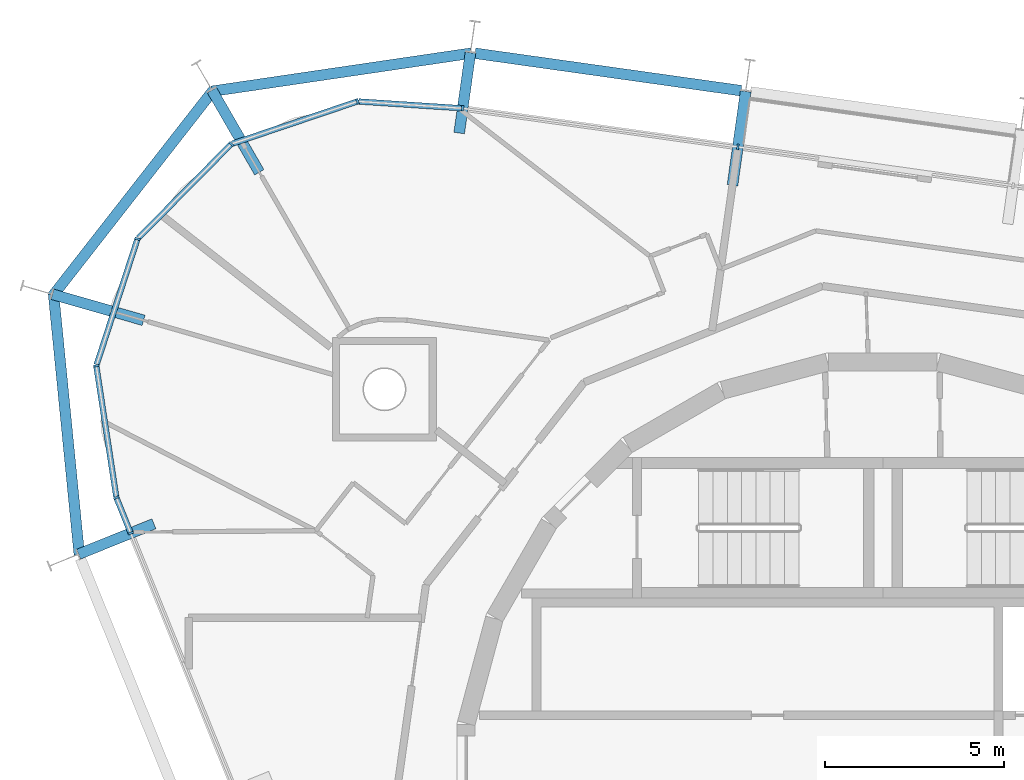
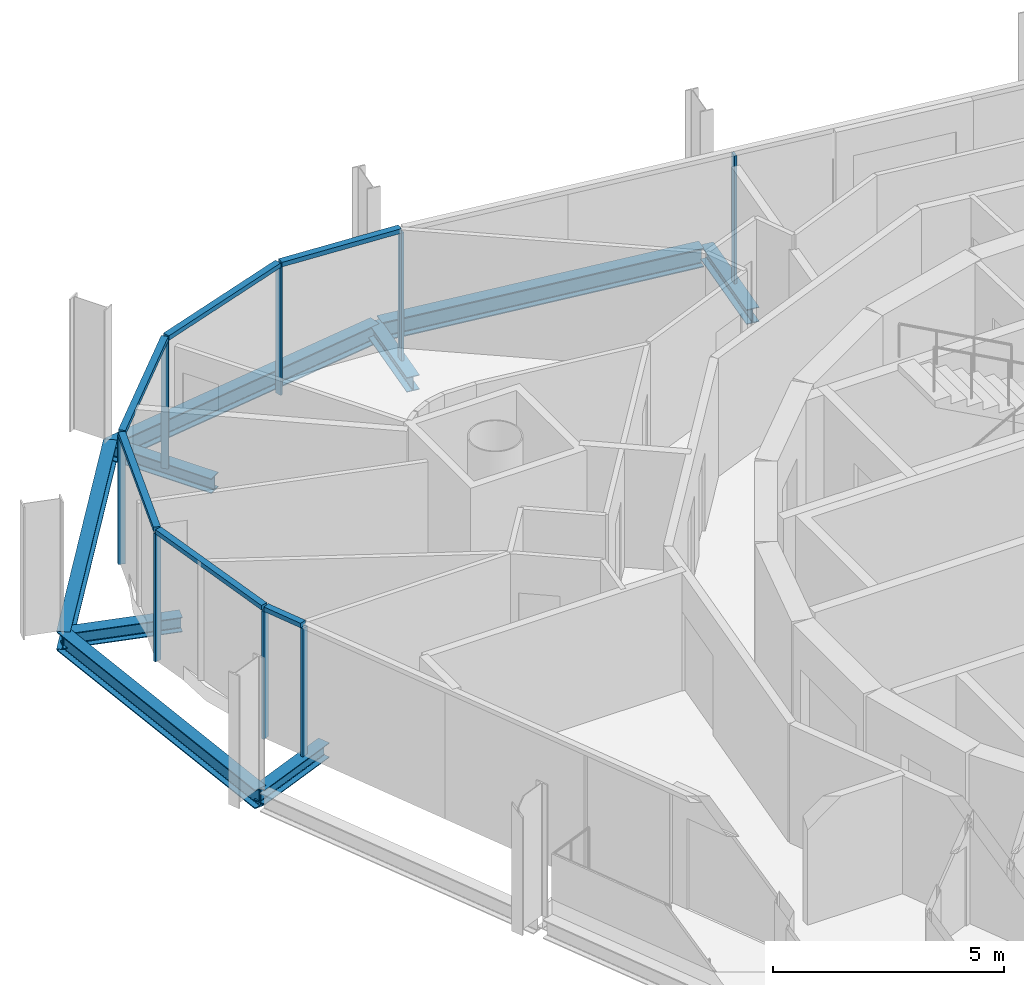
# One storey, part 5 of 15: 14 members, 9 beams, 3 elements without a shape of their own.
"""IFC4 building model written with IfcOpenShell, lengths in metres."""

from ifc_helpers import new_model, si_unit, direction, frame, origin, origin_2d, place, context, subcontext, project, spatial, rectangle, i_section, extrude, material, layer, layer_set, material_profile, profile_set, type_object, element, aggregate, save


model = new_model("IFC4")

# Units and contexts
model_context = context("Model", 3, precision=1e-05, world=origin(), true_north=direction((0.0, 1.0)))
body_context = subcontext(model_context, "Body", "Model", "MODEL_VIEW")
ifc_project = project(units=[si_unit("LENGTHUNIT", "METRE"), si_unit("AREAUNIT", "SQUARE_METRE"), si_unit("VOLUMEUNIT", "CUBIC_METRE"), si_unit("PLANEANGLEUNIT", "RADIAN"), si_unit("MASSUNIT", "GRAM", prefix="KILO")], contexts=[model_context])

# Site, building, storey
site_placement = place(None, origin())
site = spatial("IfcSite", under=ifc_project, at=site_placement, CompositionType="ELEMENT")
building_placement = place(site_placement, origin())
building = spatial("IfcBuilding", under=site, at=building_placement, Name="Spindle Arch Residences", CompositionType="ELEMENT")
storey_placement = place(building_placement, frame((0.0, 0.0, 354.0)))
storey = spatial("IfcBuildingStorey", under=building, at=storey_placement, Name="L91", CompositionType="ELEMENT", Elevation=354.0)

# Curtain wall, member
ifc_material_1 = material(Name="Aluminium bronze unitised frame with tinted glass", Category="aluminium")
ifc_layer_1 = layer(ifc_material_1, 0.159912109375)
ifc_layer_set_1 = layer_set([ifc_layer_1], Name="CW-C typical residential unitised wall")
curtain_wall_type_1 = type_object("IfcCurtainWallType", Name="CW-C typical residential unitised wall", PredefinedType="NOTDEFINED", material=ifc_layer_set_1)
curtain_wall_1_placement = place(storey_placement, origin())
curtain_wall_1 = element("IfcCurtainWall", 1, at=curtain_wall_1_placement, inside=storey, type_object=curtain_wall_type_1, Name="CW-C L91 run 2", PredefinedType="NOTDEFINED")
ifc_material_2 = material(Name="Aluminium bronze anodised mullion", Category="aluminium")
ifc_material_profile_1 = material_profile(ifc_material_2, rectangle(XDim=0.159912109375, YDim=0.06005859375, at=origin_2d()), Name="MU 60x160")
ifc_profile_set_1 = profile_set([ifc_material_profile_1], Name="Aluminium bronze anodised mullion")
member_type_1 = type_object("IfcMemberType", Name="Bronze mullion 60x160", PredefinedType="MULLION", material=ifc_profile_set_1)
member_1_placement = place(storey_placement, frame((-4.0537109375, 17.654296875, -0.3798828125), z_axis=(0.0, 0.0, 1.0), x_axis=(-0.13917310096, -0.990268068742, 0.0)))
member_1 = element("IfcMember", 2, at=member_1_placement, type_object=member_type_1, Name="CW-C mullion 07", PredefinedType="MULLION", context=body_context, shape_type="SweptSolid", body=[
    extrude(rectangle(XDim=0.159912109375, YDim=0.06005859375, at=origin_2d()), origin(), (0.0, 0.0, 1.0), 3.3798828125),
])
aggregate(curtain_wall_1, [member_1])

# Curtain wall, members
ifc_material_3 = material(Name="Aluminium bronze unitised frame with tinted glass", Category="aluminium")
ifc_layer_2 = layer(ifc_material_3, 0.159912109375)
ifc_layer_set_2 = layer_set([ifc_layer_2], Name="CW-D corner wall on the fillet arcs")
curtain_wall_type_2 = type_object("IfcCurtainWallType", Name="CW-D corner wall on the fillet arcs", PredefinedType="NOTDEFINED", material=ifc_layer_set_2)
curtain_wall_2_placement = place(storey_placement, origin())
curtain_wall_2 = element("IfcCurtainWall", 3, at=curtain_wall_2_placement, inside=storey, type_object=curtain_wall_type_2, Name="CW-D L91 run 3", PredefinedType="NOTDEFINED")
member_2_placement = place(storey_placement, frame((-11.74365234375, 18.735107421875, -0.3798828125), z_axis=(0.0, 0.0, 1.0), x_axis=(-0.065509719587, -0.99785193122, 0.0)))
member_2 = element("IfcMember", 4, at=member_2_placement, type_object=member_type_1, Name="CW-D mullion 00", PredefinedType="MULLION", context=body_context, shape_type="SweptSolid", body=[
    extrude(rectangle(XDim=0.159912109375, YDim=0.06005859375, at=origin_2d()), origin(), (0.0, 0.0, 1.0), 3.3798828125),
])
member_3_placement = place(storey_placement, frame((-14.6806640625, 18.927978515625, -0.3798828125), z_axis=(0.0, 0.0, 1.0), x_axis=(0.320061877599, -0.947396640541, 0.0)))
member_3 = element("IfcMember", 5, at=member_3_placement, type_object=member_type_1, Name="CW-D mullion 01", PredefinedType="MULLION", context=body_context, shape_type="SweptSolid", body=[
    extrude(rectangle(XDim=0.159912109375, YDim=0.06005859375, at=origin_2d()), origin(), (0.0, 0.0, 1.0), 3.3798828125),
])
member_4_placement = place(storey_placement, frame((-18.211181640625, 17.735107421875, -0.3798828125), z_axis=(0.0, 0.0, 1.0), x_axis=(0.711208574043, -0.702981055369, 0.0)))
member_4 = element("IfcMember", 6, at=member_4_placement, type_object=member_type_1, Name="CW-D mullion 02", PredefinedType="MULLION", context=body_context, shape_type="SweptSolid", body=[
    extrude(rectangle(XDim=0.159912109375, YDim=0.06005859375, at=origin_2d()), origin(), (0.0, 0.0, 1.0), 3.3798828125),
])
member_5_placement = place(storey_placement, frame((-20.8310546875, 15.084716796875, -0.3798828125), z_axis=(0.0, 0.0, 1.0), x_axis=(0.951056517498, -0.309016990673, 0.0)))
member_5 = element("IfcMember", 7, at=member_5_placement, type_object=member_type_1, Name="CW-D mullion 03", PredefinedType="MULLION", context=body_context, shape_type="SweptSolid", body=[
    extrude(rectangle(XDim=0.159912109375, YDim=0.06005859375, at=origin_2d()), origin(), (0.0, 0.0, 1.0), 3.3798828125),
])
member_6_placement = place(storey_placement, frame((-21.982666015625, 11.540283203125, -0.3798828125), z_axis=(0.0, 0.0, 1.0), x_axis=(0.988581718471, 0.150685718984, 0.0)))
member_6 = element("IfcMember", 8, at=member_6_placement, type_object=member_type_1, Name="CW-D mullion 04", PredefinedType="MULLION", context=body_context, shape_type="SweptSolid", body=[
    extrude(rectangle(XDim=0.159912109375, YDim=0.06005859375, at=origin_2d()), origin(), (0.0, 0.0, 1.0), 3.3798828125),
])
member_7_placement = place(storey_placement, frame((-21.421142578125, 7.856201171875, -0.3798828125), z_axis=(0.0, 0.0, 1.0), x_axis=(0.927183854567, 0.374606593416, 0.0)))
member_7 = element("IfcMember", 9, at=member_7_placement, type_object=member_type_1, Name="CW-D mullion 05", PredefinedType="MULLION", context=body_context, shape_type="SweptSolid", body=[
    extrude(rectangle(XDim=0.159912109375, YDim=0.06005859375, at=origin_2d()), origin(), (0.0, 0.0, 1.0), 3.3798828125),
])

# Curtain wall, member
curtain_wall_3_placement = place(storey_placement, origin())
curtain_wall_3 = element("IfcCurtainWall", 10, at=curtain_wall_3_placement, inside=storey, type_object=curtain_wall_type_1, Name="CW-C L91 run 4", PredefinedType="NOTDEFINED")
member_8_placement = place(storey_placement, frame((-21.019775390625, 6.862548828125, -0.3798828125), z_axis=(0.0, 0.0, 1.0), x_axis=(0.927183854567, 0.374606593416, 0.0)))
member_8 = element("IfcMember", 11, at=member_8_placement, type_object=member_type_1, Name="CW-C mullion 11", PredefinedType="MULLION", context=body_context, shape_type="SweptSolid", body=[
    extrude(rectangle(XDim=0.159912109375, YDim=0.06005859375, at=origin_2d()), origin(), (0.0, 0.0, 1.0), 3.3798828125),
])
aggregate(curtain_wall_3, [member_8])

# Member
ifc_material_4 = material(Name="Aluminium bronze anodised transom", Category="aluminium")
ifc_material_profile_2 = material_profile(ifc_material_4, rectangle(XDim=0.159912109375, YDim=0.1201171875, at=origin_2d()), Name="TR 120x160")
ifc_profile_set_2 = profile_set([ifc_material_profile_2], Name="Aluminium bronze anodised transom")
member_type_2 = type_object("IfcMemberType", Name="Bronze transom 120x160", PredefinedType="USERDEFINED", material=ifc_profile_set_2)
member_9_placement = place(storey_placement, frame((-11.773681640625, 18.737060546875, 3.06005859375), z_axis=(-0.997849873477, 0.065541055844, 0.0), x_axis=(-0.065541055844, -0.997849873477, 0.0)))
member_9 = element("IfcMember", 12, at=member_9_placement, type_object=member_type_2, Name="CW-D transom 00", ObjectType="TRANSOM", PredefinedType="USERDEFINED", context=body_context, shape_type="SweptSolid", body=[
    extrude(rectangle(XDim=0.159912109375, YDim=0.1201171875, at=origin_2d()), origin(), (0.0, 0.0, 1.0), 2.883056640625),
])

member_10_placement = place(storey_placement, frame((-14.708984375, 18.91845703125, 3.06005859375), z_axis=(-0.94739716915, -0.320060312889, 0.0), x_axis=(0.320060312889, -0.94739716915, 0.0)))
member_10 = element("IfcMember", 13, at=member_10_placement, type_object=member_type_2, Name="CW-D transom 01", ObjectType="TRANSOM", PredefinedType="USERDEFINED", context=body_context, shape_type="SweptSolid", body=[
    extrude(rectangle(XDim=0.159912109375, YDim=0.1201171875, at=origin_2d()), origin(), (0.0, 0.0, 1.0), 3.666748046875),
])

member_11_placement = place(storey_placement, frame((-18.232421875, 17.7138671875, 3.06005859375), z_axis=(-0.702966683093, -0.711222779769, 0.0), x_axis=(0.711222779769, -0.702966683093, 0.0)))
member_11 = element("IfcMember", 14, at=member_11_placement, type_object=member_type_2, Name="CW-D transom 02", ObjectType="TRANSOM", PredefinedType="USERDEFINED", context=body_context, shape_type="SweptSolid", body=[
    extrude(rectangle(XDim=0.159912109375, YDim=0.1201171875, at=origin_2d()), origin(), (0.0, 0.0, 1.0), 3.666748046875),
])

member_12_placement = place(storey_placement, frame((-20.84033203125, 15.05615234375, 3.06005859375), z_axis=(-0.309007783623, -0.951059509001, 0.0), x_axis=(0.951059509001, -0.309007783623, 0.0)))
member_12 = element("IfcMember", 15, at=member_12_placement, type_object=member_type_2, Name="CW-D transom 03", ObjectType="TRANSOM", PredefinedType="USERDEFINED", context=body_context, shape_type="SweptSolid", body=[
    extrude(rectangle(XDim=0.159912109375, YDim=0.1201171875, at=origin_2d()), origin(), (0.0, 0.0, 1.0), 3.666748046875),
])

member_13_placement = place(storey_placement, frame((-21.978271484375, 11.5107421875, 3.06005859375), z_axis=(0.150671164407, -0.988583936859, 0.0), x_axis=(0.988583936859, 0.150671164407, 0.0)))
member_13 = element("IfcMember", 16, at=member_13_placement, type_object=member_type_2, Name="CW-D transom 04", ObjectType="TRANSOM", PredefinedType="USERDEFINED", context=body_context, shape_type="SweptSolid", body=[
    extrude(rectangle(XDim=0.159912109375, YDim=0.1201171875, at=origin_2d()), origin(), (0.0, 0.0, 1.0), 3.666748046875),
])

member_14_placement = place(storey_placement, frame((-21.409912109375, 7.828369140625, 3.06005859375), z_axis=(0.374550833754, -0.927206380982, 0.0), x_axis=(0.927206380982, 0.374550833754, 0.0)))
member_14 = element("IfcMember", 17, at=member_14_placement, type_object=member_type_2, Name="CW-D transom 05", ObjectType="TRANSOM", PredefinedType="USERDEFINED", context=body_context, shape_type="SweptSolid", body=[
    extrude(rectangle(XDim=0.159912109375, YDim=0.1201171875, at=origin_2d()), origin(), (0.0, 0.0, 1.0), 1.01171875),
])

aggregate(curtain_wall_2, [member_2, member_9, member_3, member_10, member_4, member_11, member_5, member_12, member_6, member_13, member_7, member_14])

# Beams
ifc_material_5 = material(Name="Steel S460ML, intumescent coating R 120", Category="steel")
ifc_material_profile_3 = material_profile(ifc_material_5, i_section(OverallWidth=0.300048828125, OverallDepth=0.5, WebThickness=0.014404296875, FlangeThickness=0.028076171875, FilletRadius=0.027099609375, at=origin_2d()), Name="HEB 500")
ifc_profile_set_3 = profile_set([ifc_material_profile_3], Name="Steel S460ML, intumescent coating R 120")
beam_type_1 = type_object("IfcBeamType", Name="Exoskeleton edge beam HEB 500", PredefinedType="BEAM", material=ifc_profile_set_3)
beam_1_placement = place(storey_placement, frame((-3.964111328125, 19.227294921875, -0.6298828125), z_axis=(-0.990270241249, 0.13915764189, 0.0), x_axis=(-0.13915764189, -0.990270241249, 0.0)))
element("IfcBeam", 18, at=beam_1_placement, inside=storey, type_object=beam_type_1, Name="Exoskeleton edge beam 8", PredefinedType="BEAM", context=body_context, shape_type="SweptSolid", body=[
    extrude(i_section(OverallWidth=0.300048828125, OverallDepth=0.5, WebThickness=0.014404296875, FlangeThickness=0.028076171875, FilletRadius=0.027099609375, at=origin_2d()), origin(), (0.0, 0.0, 1.0), 7.50537109375),
])
beam_2_placement = place(storey_placement, frame((-11.505615234375, 20.27490234375, -0.6298828125), z_axis=(-0.989384491355, -0.145321465266, 0.0), x_axis=(0.145321465266, -0.989384491355, 0.0)))
element("IfcBeam", 19, at=beam_2_placement, inside=storey, type_object=beam_type_1, Name="Exoskeleton edge beam 9", PredefinedType="BEAM", context=body_context, shape_type="SweptSolid", body=[
    extrude(i_section(OverallWidth=0.300048828125, OverallDepth=0.5, WebThickness=0.014404296875, FlangeThickness=0.028076171875, FilletRadius=0.027099609375, at=origin_2d()), origin(), (0.0, 0.0, 1.0), 7.333251953125),
])
beam_3_placement = place(storey_placement, frame((-18.700927734375, 19.252685546875, -0.6298828125), z_axis=(-0.615671888322, -0.788002617971, 0.0), x_axis=(0.788002617971, -0.615671888322, 0.0)))
element("IfcBeam", 20, at=beam_3_placement, inside=storey, type_object=beam_type_1, Name="Exoskeleton edge beam 10", PredefinedType="BEAM", context=body_context, shape_type="SweptSolid", body=[
    extrude(i_section(OverallWidth=0.300048828125, OverallDepth=0.5, WebThickness=0.014404296875, FlangeThickness=0.028076171875, FilletRadius=0.027099609375, at=origin_2d()), origin(), (0.0, 0.0, 1.0), 7.31591796875),
])
beam_4_placement = place(storey_placement, frame((-23.177490234375, 13.556640625, -0.6298828125), z_axis=(0.098376359096, -0.995149281249, 0.0), x_axis=(0.995149281249, 0.098376359096, 0.0)))
element("IfcBeam", 21, at=beam_4_placement, inside=storey, type_object=beam_type_1, Name="Exoskeleton edge beam 11", PredefinedType="BEAM", context=body_context, shape_type="SweptSolid", body=[
    extrude(i_section(OverallWidth=0.300048828125, OverallDepth=0.5, WebThickness=0.014404296875, FlangeThickness=0.028076171875, FilletRadius=0.027099609375, at=origin_2d()), origin(), (0.0, 0.0, 1.0), 7.33349609375),
])
ifc_material_6 = material(Name="Steel S460ML, intumescent coating R 120", Category="steel")
ifc_material_profile_4 = material_profile(ifc_material_6, i_section(OverallWidth=0.300048828125, OverallDepth=0.389892578125, WebThickness=0.010986328125, FlangeThickness=0.01904296875, FilletRadius=0.027099609375, at=origin_2d()), Name="HEA 400")
ifc_profile_set_4 = profile_set([ifc_material_profile_4], Name="Steel S460ML, intumescent coating R 120")
beam_type_2 = type_object("IfcBeamType", Name="Floor outrigger HEA 400", PredefinedType="BEAM", material=ifc_profile_set_4)
beam_5_placement = place(storey_placement, frame((-3.835205078125, 19.208984375, -0.574951171875), z_axis=(-0.139215304089, -0.990262136562, 0.0), x_axis=(0.990262136562, -0.139215304089, 0.0)))
element("IfcBeam", 22, at=beam_5_placement, inside=storey, type_object=beam_type_2, Name="Floor outrigger 8", PredefinedType="BEAM", context=body_context, shape_type="SweptSolid", body=[
    extrude(i_section(OverallWidth=0.300048828125, OverallDepth=0.389892578125, WebThickness=0.010986328125, FlangeThickness=0.01904296875, FilletRadius=0.027099609375, at=origin_2d()), origin(), (0.0, 0.0, 1.0), 2.64990234375),
])
beam_6_placement = place(storey_placement, frame((-11.525146484375, 20.289794921875, -0.574951171875), z_axis=(-0.139236695956, -0.990259128965, 0.0), x_axis=(0.990259128965, -0.139236695956, 0.0)))
element("IfcBeam", 23, at=beam_6_placement, inside=storey, type_object=beam_type_2, Name="Floor outrigger 9", PredefinedType="BEAM", context=body_context, shape_type="SweptSolid", body=[
    extrude(i_section(OverallWidth=0.300048828125, OverallDepth=0.389892578125, WebThickness=0.010986328125, FlangeThickness=0.01904296875, FilletRadius=0.027099609375, at=origin_2d()), origin(), (0.0, 0.0, 1.0), 2.26904296875),
])
beam_7_placement = place(storey_placement, frame((-18.750732421875, 19.2421875, -0.574951171875), z_axis=(0.49963737375, -0.866234664945, 0.0), x_axis=(0.866234664945, 0.49963737375, 0.0)))
element("IfcBeam", 24, at=beam_7_placement, inside=storey, type_object=beam_type_2, Name="Floor outrigger 10", PredefinedType="BEAM", context=body_context, shape_type="SweptSolid", body=[
    extrude(i_section(OverallWidth=0.300048828125, OverallDepth=0.389892578125, WebThickness=0.010986328125, FlangeThickness=0.01904296875, FilletRadius=0.027099609375, at=origin_2d()), origin(), (0.0, 0.0, 1.0), 2.64990234375),
])
beam_8_placement = place(storey_placement, frame((-23.20703125, 13.53857421875, -0.574951171875), z_axis=(0.961395217741, -0.275171283575, 0.0), x_axis=(0.275171283575, 0.961395217741, 0.0)))
element("IfcBeam", 25, at=beam_8_placement, inside=storey, type_object=beam_type_2, Name="Floor outrigger 11", PredefinedType="BEAM", context=body_context, shape_type="SweptSolid", body=[
    extrude(i_section(OverallWidth=0.300048828125, OverallDepth=0.389892578125, WebThickness=0.010986328125, FlangeThickness=0.01904296875, FilletRadius=0.027099609375, at=origin_2d()), origin(), (0.0, 0.0, 1.0), 2.650146484375),
])
beam_9_placement = place(storey_placement, frame((-22.475341796875, 6.2744140625, -0.574951171875), z_axis=(0.927202315329, 0.374560898185, 0.0), x_axis=(-0.374560898185, 0.927202315329, 0.0)))
element("IfcBeam", 26, at=beam_9_placement, inside=storey, type_object=beam_type_2, Name="Floor outrigger 12", PredefinedType="BEAM", context=body_context, shape_type="SweptSolid", body=[
    extrude(i_section(OverallWidth=0.300048828125, OverallDepth=0.389892578125, WebThickness=0.010986328125, FlangeThickness=0.01904296875, FilletRadius=0.027099609375, at=origin_2d()), origin(), (0.0, 0.0, 1.0), 2.26904296875),
])

save(model, "model.ifc")
